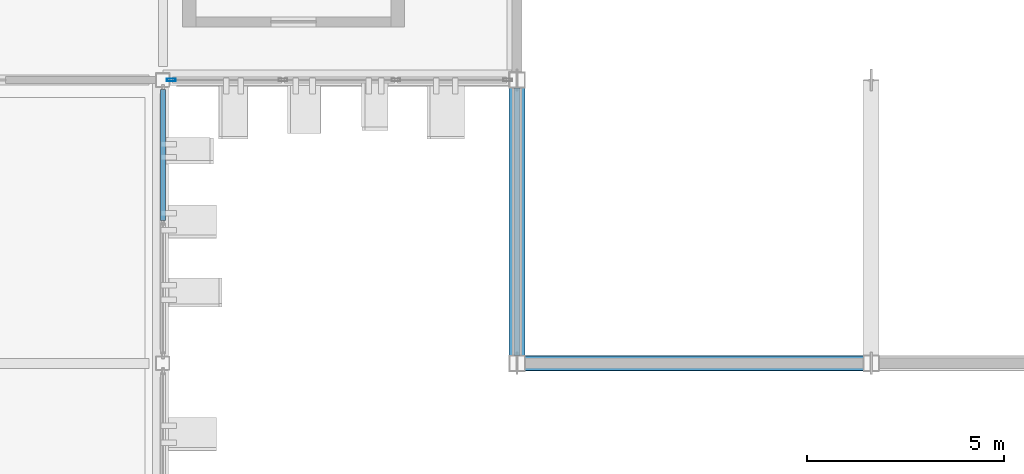
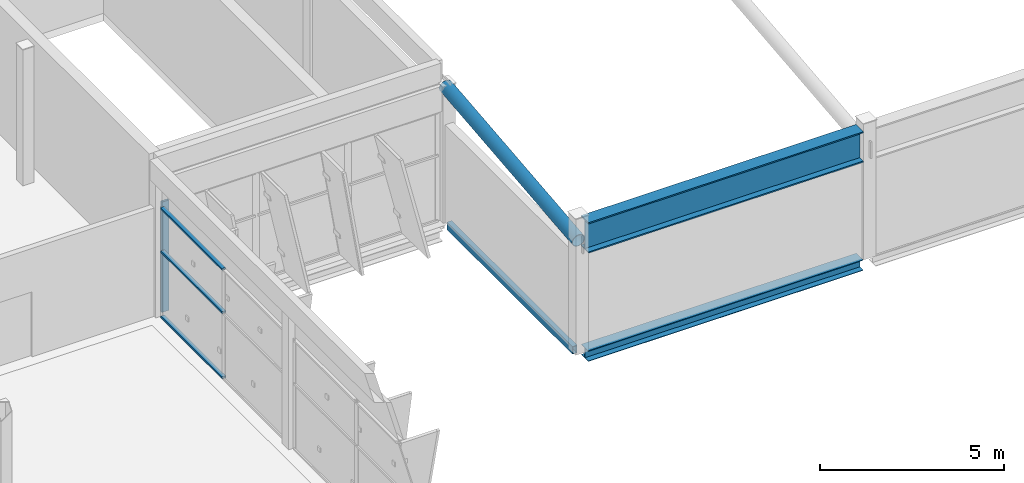
# One storey, part 58 of 124: 5 members, 3 beams, 2 elements without a shape of their own.
"""IFC4 building model written with IfcOpenShell, lengths in metres."""

import ifcopenshell
import ifcopenshell.guid

model = None  # the IFC model being written
_history = None  # IfcOwnerHistory: only IFC2X3 demands one
_inside = {}  # id of a spatial element -> (the spatial element, [elements in it])
_under = {}  # id of a project, library or spatial element -> (it, [spatial elements below it])
_declared = {}  # id of a project -> (the project, [libraries it declares])
_typed = {}  # id of a type object -> (the type object, [elements of that type])
_made_of = {}  # id of a material, layer set ... -> (it, [elements and type objects made of it])


def new_model(schema):
    """Start an empty IFC model of exactly this schema.

    Asked for "IFC4X3", IfcOpenShell would pick the latest addendum, in which some entities
    have other attributes; the version numbers below select the first issue.
    IFC2X3 requires an IfcOwnerHistory on every rooted entity: one is made here for all.
    """
    global model, _history
    if schema == "IFC4X3":
        model = ifcopenshell.file(schema_version=(4, 3, 0, 0))
    else:
        model = ifcopenshell.file(schema=schema)
    _inside.clear()
    _under.clear()
    _declared.clear()
    _typed.clear()
    _made_of.clear()
    _history = None
    if model.schema == "IFC2X3":
        org = make("IfcOrganization", Name="unknown")
        user = make(
            "IfcPersonAndOrganization",
            ThePerson=make("IfcPerson", FamilyName="unknown"),
            TheOrganization=org,
        )
        app = make(
            "IfcApplication",
            ApplicationDeveloper=org,
            Version="unknown",
            ApplicationFullName="unknown",
            ApplicationIdentifier="unknown",
        )
        _history = make(
            "IfcOwnerHistory",
            OwningUser=user,
            OwningApplication=app,
            ChangeAction="ADDED",
            CreationDate=0,
        )
    return model


def make(cls, **values):
    """One entity of the class cls with the attributes given. An attribute that is None is left unset."""
    return model.create_entity(
        cls, **{name: value for name, value in values.items() if value is not None}
    )


def rooted(cls, **values):
    """An entity with a GlobalId (a new one), such as an element, a storey or a relation."""
    return make(cls, GlobalId=ifcopenshell.guid.new(), OwnerHistory=_history, **values)


def si_unit(unit_type, name, prefix=None):
    """IfcSIUnit, for example si_unit("LENGTHUNIT", "METRE", prefix="MILLI")."""
    return make("IfcSIUnit", UnitType=unit_type, Prefix=prefix, Name=name)


def assignment(units):
    """IfcUnitAssignment: the units of a project."""
    return None if units is None else make("IfcUnitAssignment", Units=units)


def point(xyz):
    """IfcCartesianPoint."""
    return None if xyz is None else make("IfcCartesianPoint", Coordinates=xyz)


def direction(xyz):
    """IfcDirection."""
    return None if xyz is None else make("IfcDirection", DirectionRatios=xyz)


def frame(location, z_axis=None, x_axis=None):
    """IfcAxis2Placement3D, a coordinate frame: its origin and axes. An axis left out is left unset."""
    return make(
        "IfcAxis2Placement3D",
        Location=point(location),
        Axis=direction(z_axis),
        RefDirection=direction(x_axis),
    )


def frame_2d(location, x_axis=None):
    """IfcAxis2Placement2D, a coordinate frame in the plane: its origin and x axis."""
    return make(
        "IfcAxis2Placement2D", Location=point(location), RefDirection=direction(x_axis)
    )


def origin():
    """The frame at (0, 0, 0) with its axes left unset."""
    return frame((0.0, 0.0, 0.0))


def origin_2d():
    """The frame at (0, 0) in the plane with its x axis left unset."""
    return frame_2d((0.0, 0.0))


def place(relative_to, where):
    """IfcLocalPlacement: puts the frame where relative to a parent placement (None: the world)."""
    return make(
        "IfcLocalPlacement", PlacementRelTo=relative_to, RelativePlacement=where
    )


def context(
    kind, dimensions, precision=None, world=None, true_north=None, identifier=None
):
    """IfcGeometricRepresentationContext, for example the 3D "Model" context."""
    return make(
        "IfcGeometricRepresentationContext",
        ContextIdentifier=identifier,
        ContextType=kind,
        CoordinateSpaceDimension=dimensions,
        Precision=precision,
        WorldCoordinateSystem=world,
        TrueNorth=true_north,
    )


def subcontext(parent, identifier, kind, view, scale=None):
    """IfcGeometricRepresentationSubContext, for example "Body" below "Model"."""
    return make(
        "IfcGeometricRepresentationSubContext",
        ContextIdentifier=identifier,
        ContextType=kind,
        ParentContext=parent,
        TargetScale=scale,
        TargetView=view,
    )


def project(units=None, contexts=None):
    """IfcProject with its units and contexts."""
    return rooted(
        "IfcProject",
        Name="project",
        RepresentationContexts=contexts,
        UnitsInContext=assignment(units),
    )


def spatial(cls, under=None, at=None, **own):
    """A site, building, storey or space (cls), placed at a placement, below another one or the project."""
    s = rooted(cls, ObjectPlacement=at, **own)
    if under is not None:
        _under.setdefault(under.id(), (under, []))[1].append(s)
    return s


def profile(cls, at=None, kind="AREA", **sizes):
    """A parametric profile (cls). Its sizes go by their IFC names, for example OverallWidth=200.0."""
    return make(cls, ProfileType=kind, Position=at, **sizes)


def hollow_rectangle(**sizes):
    """IfcRectangleHollowProfileDef."""
    return profile("IfcRectangleHollowProfileDef", **sizes)


def hollow_circle(**sizes):
    """IfcCircleHollowProfileDef."""
    return profile("IfcCircleHollowProfileDef", **sizes)


def i_section(**sizes):
    """IfcIShapeProfileDef."""
    return profile("IfcIShapeProfileDef", **sizes)


def extrude(swept, where, along, depth):
    """IfcExtrudedAreaSolid: the profile swept, set in the frame where, extruded along a direction by depth."""
    return make(
        "IfcExtrudedAreaSolid",
        SweptArea=swept,
        Position=where,
        ExtrudedDirection=direction(along),
        Depth=depth,
    )


def shape(context_of_items, identifier, shape_type, items):
    """IfcShapeRepresentation: the items that make up one representation, for example the "Body"."""
    return make(
        "IfcShapeRepresentation",
        ContextOfItems=context_of_items,
        RepresentationIdentifier=identifier,
        RepresentationType=shape_type,
        Items=items,
    )


def material(Name=None, Category=None):
    """IfcMaterial."""
    return make("IfcMaterial", Name=Name, Category=Category)


def layer(
    of_material, thickness, ventilated=None, Name=None, Category=None, Priority=None
):
    """IfcMaterialLayer: one layer of a wall or slab, of a material (None: an air gap)."""
    return make(
        "IfcMaterialLayer",
        Material=of_material,
        LayerThickness=thickness,
        IsVentilated=ventilated,
        Name=Name,
        Category=Category,
        Priority=Priority,
    )


def layer_set(layers, Name=None):
    """IfcMaterialLayerSet."""
    return make("IfcMaterialLayerSet", MaterialLayers=layers, LayerSetName=Name)


def material_profile(
    of_material, cross_section, Name=None, Category=None, Priority=None
):
    """IfcMaterialProfile: a cross section and its material."""
    return make(
        "IfcMaterialProfile",
        Name=Name,
        Material=of_material,
        Profile=cross_section,
        Priority=Priority,
        Category=Category,
    )


def profile_set(profiles, Name=None, composite=None):
    """IfcMaterialProfileSet."""
    return make(
        "IfcMaterialProfileSet",
        Name=Name,
        MaterialProfiles=profiles,
        CompositeProfile=composite,
    )


def made_of(thing, what):
    """Note that an element or type object is made of a material, layer set ...; save() writes the relation."""
    if what is not None:
        _made_of.setdefault(what.id(), (what, []))[1].append(thing)
    return thing


def type_object(cls, material=None, **own):
    """A type object (cls), such as IfcWallType, which elements share."""
    return made_of(rooted(cls, **own), material)


def element(
    cls,
    number,
    at=None,
    inside=None,
    cuts=None,
    type_object=None,
    material=None,
    context=None,
    identifier="Body",
    shape_type=None,
    held_by="IfcProductDefinitionShape",
    body=None,
    shapes=None,
    **own,
):
    """One element of the class cls, such as IfcWall. Its Tag is "e" and its number.

    at: its placement. inside: the storey or other place that contains it. cuts: it is an
    opening in that element (IfcRelVoidsElement). A single representation is given by context,
    identifier, shape_type and body (its items); several are given by shapes. held_by: the class
    of the entity that holds the representations. save() writes the other relations.
    """
    e = rooted(cls, Tag="e%d" % number, ObjectPlacement=at, **own)
    if body is not None:
        shapes = [shape(context, identifier, shape_type, body)]
    if shapes is not None:
        e.Representation = make(held_by, Representations=shapes)
    if inside is not None:
        _inside.setdefault(inside.id(), (inside, []))[1].append(e)
    if cuts is not None:
        rooted(
            "IfcRelVoidsElement", RelatingBuildingElement=cuts, RelatedOpeningElement=e
        )
    if type_object is not None:
        _typed.setdefault(type_object.id(), (type_object, []))[1].append(e)
    return made_of(e, material)


def aggregate(whole, parts):
    """IfcRelAggregates: a whole, such as a stair, and the parts it consists of."""
    return rooted("IfcRelAggregates", RelatingObject=whole, RelatedObjects=parts)


def save(model, path):
    """Write the relations noted so far, then the file.

    IfcRelAggregates (storeys below a building ...), IfcRelContainedInSpatialStructure (elements
    in a storey), IfcRelDefinesByType, IfcRelAssociatesMaterial and IfcRelDeclares: one each for
    every whole, place, type object, material and project.
    """
    for whole, parts in _under.values():
        aggregate(whole, parts)
    for where, things in _inside.values():
        rooted(
            "IfcRelContainedInSpatialStructure",
            RelatedElements=things,
            RelatingStructure=where,
        )
    for kind, things in _typed.values():
        rooted("IfcRelDefinesByType", RelatedObjects=things, RelatingType=kind)
    for what, things in _made_of.values():
        rooted("IfcRelAssociatesMaterial", RelatedObjects=things, RelatingMaterial=what)
    for by, libraries in _declared.values():
        rooted("IfcRelDeclares", RelatingContext=by, RelatedDefinitions=libraries)
    model.write(path)


model = new_model("IFC4")

# Units and contexts
model_context = context("Model", 3, precision=1e-05, world=origin(), true_north=direction((0.0, 1.0)))
body_context = subcontext(model_context, "Body", "Model", "MODEL_VIEW")
ifc_project = project(units=[si_unit("LENGTHUNIT", "METRE"), si_unit("AREAUNIT", "SQUARE_METRE"), si_unit("VOLUMEUNIT", "CUBIC_METRE"), si_unit("PLANEANGLEUNIT", "RADIAN"), si_unit("MASSUNIT", "GRAM", prefix="KILO")], contexts=[model_context])

# Site, building, storey
site_placement = place(None, origin())
site = spatial("IfcSite", under=ifc_project, at=site_placement, CompositionType="ELEMENT")
building_placement = place(site_placement, origin())
building = spatial("IfcBuilding", under=site, at=building_placement, Name="Celestram Park Convention Centre", CompositionType="ELEMENT")
storey_placement = place(building_placement, frame((0.0, 0.0, 15.300048828125)))
storey = spatial("IfcBuildingStorey", under=building, at=storey_placement, Name="L03", CompositionType="ELEMENT", Elevation=15.300048828125)

# Curtain wall, member
ifc_material_1 = material(Name="Anodised Aluminium Alloy 6063-T6", Category="aluminium")
ifc_layer_1 = layer(ifc_material_1, 0.179931640625)
ifc_layer_set_1 = layer_set([ifc_layer_1], Name="Anodised Aluminium Alloy 6063-T6")
curtain_wall_type_1 = type_object("IfcCurtainWallType", Name="ARC-CW-863X365", PredefinedType="NOTDEFINED", material=ifc_layer_set_1)
curtain_wall_1_placement = place(storey_placement, origin())
curtain_wall_1 = element("IfcCurtainWall", 1, at=curtain_wall_1_placement, inside=storey, type_object=curtain_wall_type_1, Name="Unitised curtain wall CU-L03-216", PredefinedType="NOTDEFINED")
ifc_material_profile_1 = material_profile(ifc_material_1, hollow_rectangle(XDim=0.074951171875, YDim=0.219970703125, WallThickness=0.00390625, at=origin_2d()), Name="ALU75X220X4")
ifc_profile_set_1 = profile_set([ifc_material_profile_1], Name="Anodised Aluminium Alloy 6063-T6")
member_type_1 = type_object("IfcMemberType", Name="ARC-CWM-180", PredefinedType="MULLION", material=ifc_profile_set_1)
member_1_placement = place(storey_placement, frame((144.21044921875, 122.39990234375, 0.0), z_axis=(0.0, 0.0, 1.0), x_axis=(0.0, -1.0, 0.0)))
member_1 = element("IfcMember", 2, at=member_1_placement, type_object=member_type_1, Name="CW-86X36 mullion 4", PredefinedType="MULLION", context=body_context, shape_type="SweptSolid", body=[
    extrude(hollow_rectangle(XDim=0.074951171875, YDim=0.219970703125, WallThickness=0.00390625, at=origin_2d()), origin(), (0.0, 0.0, 1.0), 3.64794921875),
])
aggregate(curtain_wall_1, [member_1])

# Curtain wall, members
ifc_layer_2 = layer(ifc_material_1, 0.179931640625)
ifc_layer_set_2 = layer_set([ifc_layer_2], Name="Anodised Aluminium Alloy 6063-T6")
curtain_wall_type_2 = type_object("IfcCurtainWallType", Name="ARC-CW-685X365", PredefinedType="NOTDEFINED", material=ifc_layer_set_2)
curtain_wall_2_placement = place(storey_placement, origin())
curtain_wall_2 = element("IfcCurtainWall", 3, at=curtain_wall_2_placement, inside=storey, type_object=curtain_wall_type_2, Name="Unitised curtain wall CU-L03-217", PredefinedType="NOTDEFINED")
ifc_material_profile_2 = material_profile(ifc_material_1, hollow_rectangle(XDim=0.1201171875, YDim=0.06005859375, WallThickness=0.0029296875, at=origin_2d()), Name="ALU120X60X3")
ifc_profile_set_2 = profile_set([ifc_material_profile_2], Name="Anodised Aluminium Alloy 6063-T6")
member_type_2 = type_object("IfcMemberType", Name="ARC-CWT-120", PredefinedType="USERDEFINED", material=ifc_profile_set_2)
member_2_placement = place(storey_placement, frame((144.0, 122.162109375, 0.030029296875), z_axis=(0.0, -1.0, 0.0), x_axis=(1.0, 0.0, 0.0)))
member_2 = element("IfcMember", 4, at=member_2_placement, type_object=member_type_2, Name="CW-68X36 transom 1.1", ObjectType="TRANSOM", PredefinedType="USERDEFINED", context=body_context, shape_type="SweptSolid", body=[
    extrude(hollow_rectangle(XDim=0.1201171875, YDim=0.06005859375, WallThickness=0.0029296875, at=origin_2d()), origin(), (0.0, 0.0, 1.0), 3.32958984375),
])
member_3_placement = place(storey_placement, frame((144.0, 122.162109375, 2.18896484375), z_axis=(0.0, -1.0, 0.0), x_axis=(1.0, 0.0, 0.0)))
member_3 = element("IfcMember", 5, at=member_3_placement, type_object=member_type_2, Name="CW-68X36 transom 1.2", ObjectType="TRANSOM", PredefinedType="USERDEFINED", context=body_context, shape_type="SweptSolid", body=[
    extrude(hollow_rectangle(XDim=0.1201171875, YDim=0.06005859375, WallThickness=0.0029296875, at=origin_2d()), origin(), (0.0, 0.0, 1.0), 3.32958984375),
])
member_4_placement = place(storey_placement, frame((144.0, 122.162109375, 3.617919921875), z_axis=(0.0, -1.0, 0.0), x_axis=(1.0, 0.0, 0.0)))
member_4 = element("IfcMember", 6, at=member_4_placement, type_object=member_type_2, Name="CW-68X36 transom 1.3", ObjectType="TRANSOM", PredefinedType="USERDEFINED", context=body_context, shape_type="SweptSolid", body=[
    extrude(hollow_rectangle(XDim=0.1201171875, YDim=0.06005859375, WallThickness=0.0029296875, at=origin_2d()), origin(), (0.0, 0.0, 1.0), 3.32958984375),
])
aggregate(curtain_wall_2, [member_2, member_3, member_4])

# Beam
ifc_material_2 = material(Name="Steel ASTM A992 Grade 50", Category="steel")
ifc_material_profile_3 = material_profile(ifc_material_2, i_section(OverallWidth=0.40087890625, OverallDepth=1.010986328125, WebThickness=0.023681640625, FlangeThickness=0.0419921875, at=origin_2d()), Name="W40X297")
ifc_profile_set_3 = profile_set([ifc_material_profile_3], Name="Steel ASTM A992 Grade 50")
beam_type_1 = type_object("IfcBeamType", Name="STR-BM-W40X297", PredefinedType="BEAM", material=ifc_profile_set_3)
beam_1_placement = place(storey_placement, frame((153.197998046875, 115.199951171875, 3.744384765625), z_axis=(1.0, 0.0, 0.0), x_axis=(0.0, 1.0, 0.0)))
element("IfcBeam", 7, at=beam_1_placement, inside=storey, type_object=beam_type_1, Name="Plenary eaves tie girder BG-L03-0266", PredefinedType="BEAM", context=body_context, shape_type="SweptSolid", body=[
    extrude(i_section(OverallWidth=0.40087890625, OverallDepth=1.010986328125, WebThickness=0.023681640625, FlangeThickness=0.0419921875, at=origin_2d()), origin(), (0.0, 0.0, 1.0), 8.60400390625),
])

# Member
ifc_material_3 = material(Name="Steel ASTM A500 Grade C", Category="steel")
ifc_material_profile_4 = material_profile(ifc_material_3, hollow_circle(Radius=0.202880859375, WallThickness=0.013916015625, at=origin_2d()), Name="CHS406X14")
ifc_profile_set_4 = profile_set([ifc_material_profile_4], Name="Steel ASTM A500 Grade C")
member_type_3 = type_object("IfcMemberType", Name="STR-CHD-CHS406", PredefinedType="CHORD", material=ifc_profile_set_4)
member_5_placement = place(storey_placement, frame((153.0, 115.199951171875, 3.614013671875), z_axis=(0.0, 0.994691079549, 0.102906055532), x_axis=(-1.0, 0.0, 0.0)))
element("IfcMember", 8, at=member_5_placement, inside=storey, type_object=member_type_3, Name="V2 arch bottom chord", PredefinedType="CHORD", context=body_context, shape_type="SweptSolid", body=[
    extrude(hollow_circle(Radius=0.202880859375, WallThickness=0.013916015625, at=origin_2d()), origin(), (0.0, 0.0, 1.0), 7.23828125),
])

# Beams
ifc_material_profile_5 = material_profile(ifc_material_3, hollow_rectangle(XDim=0.14990234375, YDim=0.25, WallThickness=0.010009765625, at=origin_2d()), Name="HSS250X150X10")
ifc_profile_set_5 = profile_set([ifc_material_profile_5], Name="Steel ASTM A500 Grade C")
beam_type_2 = type_object("IfcBeamType", Name="STR-SPN-HSS250X150", PredefinedType="SPANDREL", material=ifc_profile_set_5)
beam_2_placement = place(storey_placement, frame((153.0, 115.39794921875, -0.125), z_axis=(0.0, 1.0, 0.0), x_axis=(-1.0, 0.0, 0.0)))
element("IfcBeam", 9, at=beam_2_placement, inside=storey, type_object=beam_type_2, Name="High-bay perimeter spandrel SPB-L03-066", PredefinedType="SPANDREL", context=body_context, shape_type="SweptSolid", body=[
    extrude(hollow_rectangle(XDim=0.14990234375, YDim=0.25, WallThickness=0.010009765625, at=origin_2d()), origin(), (0.0, 0.0, 1.0), 6.803955078125),
])
ifc_material_profile_6 = material_profile(ifc_material_2, i_section(OverallWidth=0.367919921875, OverallDepth=0.35595703125, WebThickness=0.01123046875, FlangeThickness=0.01806640625, at=origin_2d()), Name="W14X90")
ifc_profile_set_6 = profile_set([ifc_material_profile_6], Name="Steel ASTM A992 Grade 50")
beam_type_3 = type_object("IfcBeamType", Name="STR-SPN-W14X90", PredefinedType="SPANDREL", material=ifc_profile_set_6)
beam_3_placement = place(storey_placement, frame((153.197998046875, 115.199951171875, -0.177978515625), z_axis=(1.0, 0.0, 0.0), x_axis=(0.0, 1.0, 0.0)))
element("IfcBeam", 10, at=beam_3_placement, inside=storey, type_object=beam_type_3, Name="High-bay perimeter spandrel SPB-L03-045", PredefinedType="SPANDREL", context=body_context, shape_type="SweptSolid", body=[
    extrude(i_section(OverallWidth=0.367919921875, OverallDepth=0.35595703125, WebThickness=0.01123046875, FlangeThickness=0.01806640625, at=origin_2d()), origin(), (0.0, 0.0, 1.0), 8.60400390625),
])

save(model, "model.ifc")
